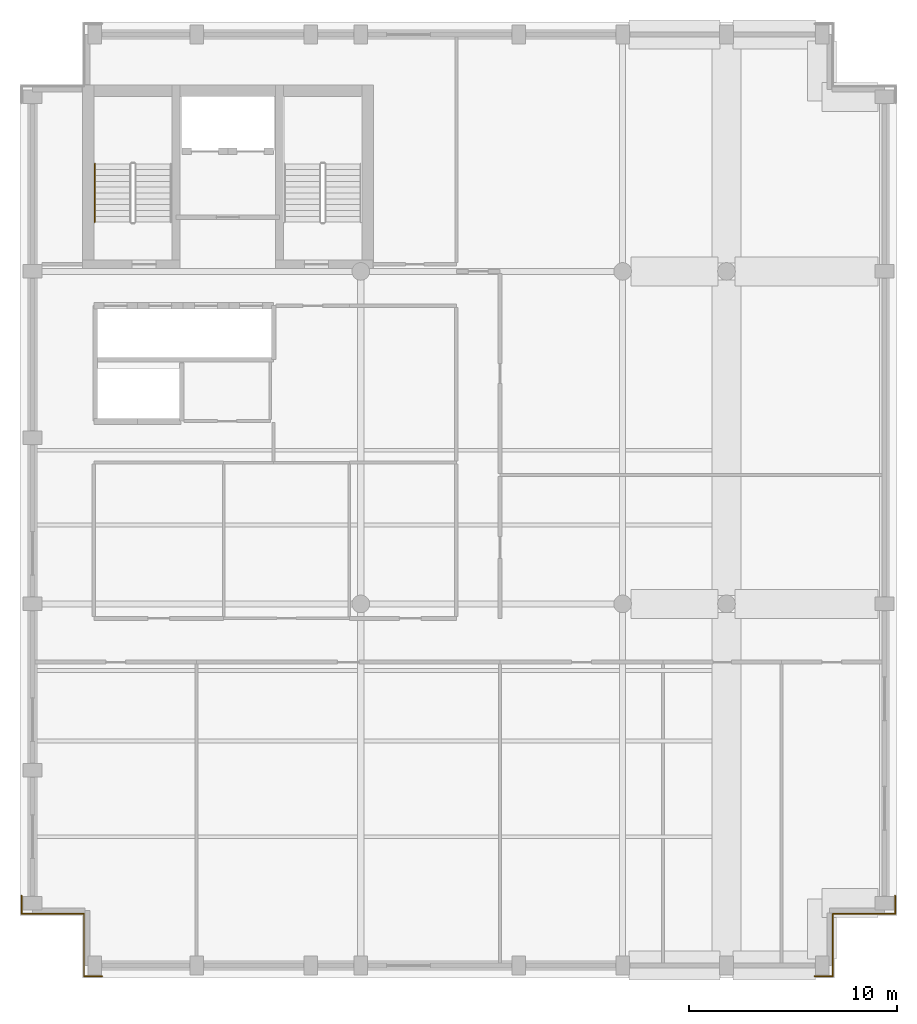
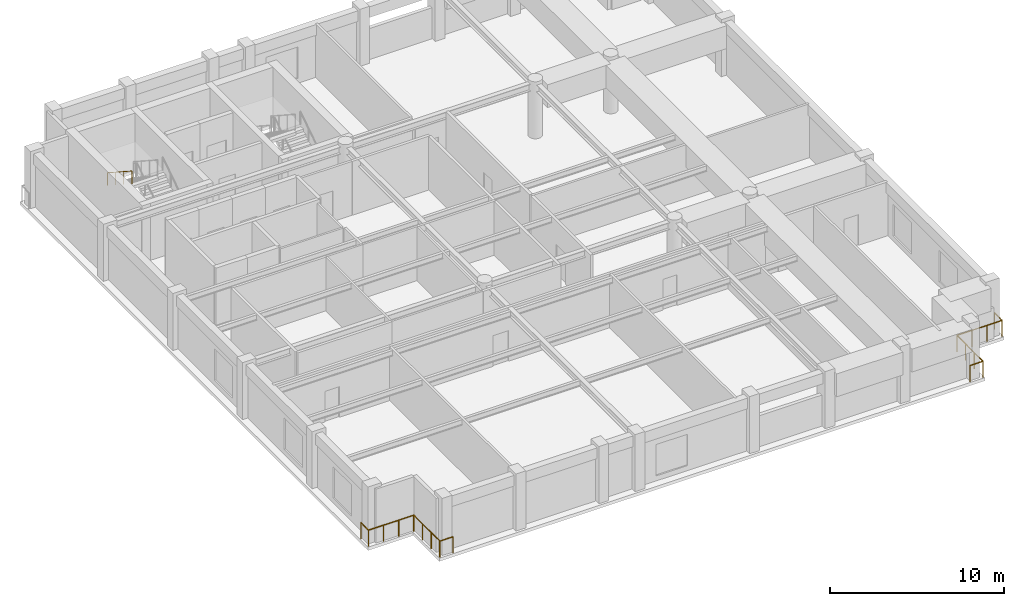
# One storey, part 5 of 7: 9 railings.
"""IFC4 building model written with IfcOpenShell, lengths in metres."""

import ifcopenshell
import ifcopenshell.guid

model = None  # the IFC model being written
_history = None  # IfcOwnerHistory: only IFC2X3 demands one
_inside = {}  # id of a spatial element -> (the spatial element, [elements in it])
_under = {}  # id of a project, library or spatial element -> (it, [spatial elements below it])
_declared = {}  # id of a project -> (the project, [libraries it declares])
_typed = {}  # id of a type object -> (the type object, [elements of that type])
_made_of = {}  # id of a material, layer set ... -> (it, [elements and type objects made of it])


def new_model(schema):
    """Start an empty IFC model of exactly this schema.

    Asked for "IFC4X3", IfcOpenShell would pick the latest addendum, in which some entities
    have other attributes; the version numbers below select the first issue.
    IFC2X3 requires an IfcOwnerHistory on every rooted entity: one is made here for all.
    """
    global model, _history
    if schema == "IFC4X3":
        model = ifcopenshell.file(schema_version=(4, 3, 0, 0))
    else:
        model = ifcopenshell.file(schema=schema)
    _inside.clear()
    _under.clear()
    _declared.clear()
    _typed.clear()
    _made_of.clear()
    _history = None
    if model.schema == "IFC2X3":
        org = make("IfcOrganization", Name="unknown")
        user = make(
            "IfcPersonAndOrganization",
            ThePerson=make("IfcPerson", FamilyName="unknown"),
            TheOrganization=org,
        )
        app = make(
            "IfcApplication",
            ApplicationDeveloper=org,
            Version="unknown",
            ApplicationFullName="unknown",
            ApplicationIdentifier="unknown",
        )
        _history = make(
            "IfcOwnerHistory",
            OwningUser=user,
            OwningApplication=app,
            ChangeAction="ADDED",
            CreationDate=0,
        )
    return model


def make(cls, **values):
    """One entity of the class cls with the attributes given. An attribute that is None is left unset."""
    return model.create_entity(
        cls, **{name: value for name, value in values.items() if value is not None}
    )


def rooted(cls, **values):
    """An entity with a GlobalId (a new one), such as an element, a storey or a relation."""
    return make(cls, GlobalId=ifcopenshell.guid.new(), OwnerHistory=_history, **values)


def si_unit(unit_type, name, prefix=None):
    """IfcSIUnit, for example si_unit("LENGTHUNIT", "METRE", prefix="MILLI")."""
    return make("IfcSIUnit", UnitType=unit_type, Prefix=prefix, Name=name)


def assignment(units):
    """IfcUnitAssignment: the units of a project."""
    return None if units is None else make("IfcUnitAssignment", Units=units)


def point(xyz):
    """IfcCartesianPoint."""
    return None if xyz is None else make("IfcCartesianPoint", Coordinates=xyz)


def direction(xyz):
    """IfcDirection."""
    return None if xyz is None else make("IfcDirection", DirectionRatios=xyz)


def frame(location, z_axis=None, x_axis=None):
    """IfcAxis2Placement3D, a coordinate frame: its origin and axes. An axis left out is left unset."""
    return make(
        "IfcAxis2Placement3D",
        Location=point(location),
        Axis=direction(z_axis),
        RefDirection=direction(x_axis),
    )


def frame_2d(location, x_axis=None):
    """IfcAxis2Placement2D, a coordinate frame in the plane: its origin and x axis."""
    return make(
        "IfcAxis2Placement2D", Location=point(location), RefDirection=direction(x_axis)
    )


def origin():
    """The frame at (0, 0, 0) with its axes left unset."""
    return frame((0.0, 0.0, 0.0))


def origin_2d():
    """The frame at (0, 0) in the plane with its x axis left unset."""
    return frame_2d((0.0, 0.0))


def place(relative_to, where):
    """IfcLocalPlacement: puts the frame where relative to a parent placement (None: the world)."""
    return make(
        "IfcLocalPlacement", PlacementRelTo=relative_to, RelativePlacement=where
    )


def context(
    kind, dimensions, precision=None, world=None, true_north=None, identifier=None
):
    """IfcGeometricRepresentationContext, for example the 3D "Model" context."""
    return make(
        "IfcGeometricRepresentationContext",
        ContextIdentifier=identifier,
        ContextType=kind,
        CoordinateSpaceDimension=dimensions,
        Precision=precision,
        WorldCoordinateSystem=world,
        TrueNorth=true_north,
    )


def subcontext(parent, identifier, kind, view, scale=None):
    """IfcGeometricRepresentationSubContext, for example "Body" below "Model"."""
    return make(
        "IfcGeometricRepresentationSubContext",
        ContextIdentifier=identifier,
        ContextType=kind,
        ParentContext=parent,
        TargetScale=scale,
        TargetView=view,
    )


def project(units=None, contexts=None):
    """IfcProject with its units and contexts."""
    return rooted(
        "IfcProject",
        Name="project",
        RepresentationContexts=contexts,
        UnitsInContext=assignment(units),
    )


def spatial(cls, under=None, at=None, **own):
    """A site, building, storey or space (cls), placed at a placement, below another one or the project."""
    s = rooted(cls, ObjectPlacement=at, **own)
    if under is not None:
        _under.setdefault(under.id(), (under, []))[1].append(s)
    return s


def profile(cls, at=None, kind="AREA", **sizes):
    """A parametric profile (cls). Its sizes go by their IFC names, for example OverallWidth=200.0."""
    return make(cls, ProfileType=kind, Position=at, **sizes)


def circle(**sizes):
    """IfcCircleProfileDef."""
    return profile("IfcCircleProfileDef", **sizes)


def extrude(swept, where, along, depth):
    """IfcExtrudedAreaSolid: the profile swept, set in the frame where, extruded along a direction by depth."""
    return make(
        "IfcExtrudedAreaSolid",
        SweptArea=swept,
        Position=where,
        ExtrudedDirection=direction(along),
        Depth=depth,
    )


def shape(context_of_items, identifier, shape_type, items):
    """IfcShapeRepresentation: the items that make up one representation, for example the "Body"."""
    return make(
        "IfcShapeRepresentation",
        ContextOfItems=context_of_items,
        RepresentationIdentifier=identifier,
        RepresentationType=shape_type,
        Items=items,
    )


def material(Name=None, Category=None):
    """IfcMaterial."""
    return make("IfcMaterial", Name=Name, Category=Category)


def made_of(thing, what):
    """Note that an element or type object is made of a material, layer set ...; save() writes the relation."""
    if what is not None:
        _made_of.setdefault(what.id(), (what, []))[1].append(thing)
    return thing


def type_object(cls, material=None, **own):
    """A type object (cls), such as IfcWallType, which elements share."""
    return made_of(rooted(cls, **own), material)


def element(
    cls,
    number,
    at=None,
    inside=None,
    cuts=None,
    type_object=None,
    material=None,
    context=None,
    identifier="Body",
    shape_type=None,
    held_by="IfcProductDefinitionShape",
    body=None,
    shapes=None,
    **own,
):
    """One element of the class cls, such as IfcWall. Its Tag is "e" and its number.

    at: its placement. inside: the storey or other place that contains it. cuts: it is an
    opening in that element (IfcRelVoidsElement). A single representation is given by context,
    identifier, shape_type and body (its items); several are given by shapes. held_by: the class
    of the entity that holds the representations. save() writes the other relations.
    """
    e = rooted(cls, Tag="e%d" % number, ObjectPlacement=at, **own)
    if body is not None:
        shapes = [shape(context, identifier, shape_type, body)]
    if shapes is not None:
        e.Representation = make(held_by, Representations=shapes)
    if inside is not None:
        _inside.setdefault(inside.id(), (inside, []))[1].append(e)
    if cuts is not None:
        rooted(
            "IfcRelVoidsElement", RelatingBuildingElement=cuts, RelatedOpeningElement=e
        )
    if type_object is not None:
        _typed.setdefault(type_object.id(), (type_object, []))[1].append(e)
    return made_of(e, material)


def aggregate(whole, parts):
    """IfcRelAggregates: a whole, such as a stair, and the parts it consists of."""
    return rooted("IfcRelAggregates", RelatingObject=whole, RelatedObjects=parts)


def save(model, path):
    """Write the relations noted so far, then the file.

    IfcRelAggregates (storeys below a building ...), IfcRelContainedInSpatialStructure (elements
    in a storey), IfcRelDefinesByType, IfcRelAssociatesMaterial and IfcRelDeclares: one each for
    every whole, place, type object, material and project.
    """
    for whole, parts in _under.values():
        aggregate(whole, parts)
    for where, things in _inside.values():
        rooted(
            "IfcRelContainedInSpatialStructure",
            RelatedElements=things,
            RelatingStructure=where,
        )
    for kind, things in _typed.values():
        rooted("IfcRelDefinesByType", RelatedObjects=things, RelatingType=kind)
    for what, things in _made_of.values():
        rooted("IfcRelAssociatesMaterial", RelatedObjects=things, RelatingMaterial=what)
    for by, libraries in _declared.values():
        rooted("IfcRelDeclares", RelatingContext=by, RelatedDefinitions=libraries)
    model.write(path)


model = new_model("IFC4")

# Units and contexts
model_context = context("Model", 3, precision=1e-05, world=origin(), true_north=direction((0.0, 1.0)))
body_context = subcontext(model_context, "Body", "Model", "MODEL_VIEW")
ifc_project = project(units=[si_unit("LENGTHUNIT", "METRE"), si_unit("AREAUNIT", "SQUARE_METRE"), si_unit("VOLUMEUNIT", "CUBIC_METRE"), si_unit("PLANEANGLEUNIT", "RADIAN"), si_unit("MASSUNIT", "GRAM", prefix="KILO")], contexts=[model_context])

# Site, building, storey
site_placement = place(None, origin())
site = spatial("IfcSite", under=ifc_project, at=site_placement, CompositionType="ELEMENT")
building_placement = place(site_placement, origin())
building = spatial("IfcBuilding", under=site, at=building_placement, Name="Sulina Concourse Tower", CompositionType="ELEMENT")
storey_placement = place(building_placement, frame((0.0, 0.0, 301.0)))
storey = spatial("IfcBuildingStorey", under=building, at=storey_placement, Name="L73", CompositionType="ELEMENT", Elevation=301.0)

# Railings
ifc_material_1 = material(Name="Galvanised steel railing", Category="steel")
railing_type_1 = type_object("IfcRailingType", Name="Core Stair Steel Guardrail 1150mm", PredefinedType="GUARDRAIL", material=ifc_material_1)
railing_1_placement = place(storey_placement, frame((42.1201171875, 3.949951171875, 0.0)))
element("IfcRailing", 1, at=railing_1_placement, inside=storey, type_object=railing_type_1, Name="L73 perimeter edge safety guardrail SE1", PredefinedType="GUARDRAIL", context=body_context, shape_type="SweptSolid", body=[
    extrude(circle(Radius=0.02392578125, at=origin_2d()), frame((0.0, 0.0, 1.1259765625), z_axis=(0.0, -1.0, 0.0), x_axis=(1.0, 0.0, 0.0)), (0.0, 0.0, 1.0), 0.869873046875),
    extrude(circle(Radius=0.02099609375, at=origin_2d()), origin(), (0.0, 0.0, 1.0), 1.101806640625),
    extrude(circle(Radius=0.02099609375, at=origin_2d()), frame((0.0, -0.869873046875, 0.0)), (0.0, 0.0, 1.0), 1.101806640625),
])
railing_2_placement = place(storey_placement, frame((42.1201171875, 3.080078125, 0.0)))
element("IfcRailing", 2, at=railing_2_placement, inside=storey, type_object=railing_type_1, Name="L73 perimeter edge safety guardrail SE2", PredefinedType="GUARDRAIL", context=body_context, shape_type="SweptSolid", body=[
    extrude(circle(Radius=0.02392578125, at=origin_2d()), frame((0.0, 0.0, 1.1259765625), z_axis=(-1.0, 0.0, 0.0), x_axis=(0.0, -1.0, 0.0)), (0.0, 0.0, 1.0), 3.0),
    extrude(circle(Radius=0.02099609375, at=origin_2d()), origin(), (0.0, 0.0, 1.0), 1.101806640625),
    extrude(circle(Radius=0.02099609375, at=origin_2d()), frame((-1.0, 0.0, 0.0)), (0.0, 0.0, 1.0), 1.101806640625),
    extrude(circle(Radius=0.02099609375, at=origin_2d()), frame((-2.0, 0.0, 0.0)), (0.0, 0.0, 1.0), 1.101806640625),
    extrude(circle(Radius=0.02099609375, at=origin_2d()), frame((-3.0, 0.0, 0.0)), (0.0, 0.0, 1.0), 1.101806640625),
])
railing_3_placement = place(storey_placement, frame((39.1201171875, 3.080078125, 0.0)))
element("IfcRailing", 3, at=railing_3_placement, inside=storey, type_object=railing_type_1, Name="L73 perimeter edge safety guardrail SE3", PredefinedType="GUARDRAIL", context=body_context, shape_type="SweptSolid", body=[
    extrude(circle(Radius=0.02392578125, at=origin_2d()), frame((0.0, 0.0, 1.1259765625), z_axis=(0.0, -1.0, 0.0), x_axis=(1.0, 0.0, 0.0)), (0.0, 0.0, 1.0), 3.0),
    extrude(circle(Radius=0.02099609375, at=origin_2d()), origin(), (0.0, 0.0, 1.0), 1.101806640625),
    extrude(circle(Radius=0.02099609375, at=origin_2d()), frame((0.0, -1.0, 0.0)), (0.0, 0.0, 1.0), 1.101806640625),
    extrude(circle(Radius=0.02099609375, at=origin_2d()), frame((0.0, -2.0, 0.0)), (0.0, 0.0, 1.0), 1.101806640625),
    extrude(circle(Radius=0.02099609375, at=origin_2d()), frame((0.0, -3.0, 0.0)), (0.0, 0.0, 1.0), 1.101806640625),
])
railing_4_placement = place(storey_placement, frame((39.1201171875, 0.080078125, 0.0)))
element("IfcRailing", 4, at=railing_4_placement, inside=storey, type_object=railing_type_1, Name="L73 perimeter edge safety guardrail SE4", PredefinedType="GUARDRAIL", context=body_context, shape_type="SweptSolid", body=[
    extrude(circle(Radius=0.02392578125, at=origin_2d()), frame((0.0, 0.0, 1.1259765625), z_axis=(-1.0, 0.0, 0.0), x_axis=(0.0, -1.0, 0.0)), (0.0, 0.0, 1.0), 0.8701171875),
    extrude(circle(Radius=0.02099609375, at=origin_2d()), origin(), (0.0, 0.0, 1.0), 1.101806640625),
    extrude(circle(Radius=0.02099609375, at=origin_2d()), frame((-0.8701171875, 0.0, 0.0)), (0.0, 0.0, 1.0), 1.101806640625),
])
railing_5_placement = place(storey_placement, frame((3.949951171875, 0.080078125, 0.0)))
element("IfcRailing", 5, at=railing_5_placement, inside=storey, type_object=railing_type_1, Name="L73 perimeter edge safety guardrail SW1", PredefinedType="GUARDRAIL", context=body_context, shape_type="SweptSolid", body=[
    extrude(circle(Radius=0.02392578125, at=origin_2d()), frame((0.0, 0.0, 1.1259765625), z_axis=(-1.0, 0.0, 0.0), x_axis=(0.0, -1.0, 0.0)), (0.0, 0.0, 1.0), 0.869873046875),
    extrude(circle(Radius=0.02099609375, at=origin_2d()), origin(), (0.0, 0.0, 1.0), 1.101806640625),
    extrude(circle(Radius=0.02099609375, at=origin_2d()), frame((-0.869873046875, 0.0, 0.0)), (0.0, 0.0, 1.0), 1.101806640625),
])
railing_6_placement = place(storey_placement, frame((3.080078125, 0.080078125, 0.0)))
element("IfcRailing", 6, at=railing_6_placement, inside=storey, type_object=railing_type_1, Name="L73 perimeter edge safety guardrail SW2", PredefinedType="GUARDRAIL", context=body_context, shape_type="SweptSolid", body=[
    extrude(circle(Radius=0.02392578125, at=origin_2d()), frame((0.0, 0.0, 1.1259765625), z_axis=(0.0, 1.0, 0.0), x_axis=(-1.0, 0.0, 0.0)), (0.0, 0.0, 1.0), 3.0),
    extrude(circle(Radius=0.02099609375, at=origin_2d()), origin(), (0.0, 0.0, 1.0), 1.101806640625),
    extrude(circle(Radius=0.02099609375, at=origin_2d()), frame((0.0, 1.0, 0.0)), (0.0, 0.0, 1.0), 1.101806640625),
    extrude(circle(Radius=0.02099609375, at=origin_2d()), frame((0.0, 2.0, 0.0)), (0.0, 0.0, 1.0), 1.101806640625),
    extrude(circle(Radius=0.02099609375, at=origin_2d()), frame((0.0, 3.0, 0.0)), (0.0, 0.0, 1.0), 1.101806640625),
])
railing_7_placement = place(storey_placement, frame((3.080078125, 3.080078125, 0.0)))
element("IfcRailing", 7, at=railing_7_placement, inside=storey, type_object=railing_type_1, Name="L73 perimeter edge safety guardrail SW3", PredefinedType="GUARDRAIL", context=body_context, shape_type="SweptSolid", body=[
    extrude(circle(Radius=0.02392578125, at=origin_2d()), frame((0.0, 0.0, 1.1259765625), z_axis=(-1.0, 0.0, 0.0), x_axis=(0.0, -1.0, 0.0)), (0.0, 0.0, 1.0), 3.0),
    extrude(circle(Radius=0.02099609375, at=origin_2d()), origin(), (0.0, 0.0, 1.0), 1.101806640625),
    extrude(circle(Radius=0.02099609375, at=origin_2d()), frame((-1.0, 0.0, 0.0)), (0.0, 0.0, 1.0), 1.101806640625),
    extrude(circle(Radius=0.02099609375, at=origin_2d()), frame((-2.0, 0.0, 0.0)), (0.0, 0.0, 1.0), 1.101806640625),
    extrude(circle(Radius=0.02099609375, at=origin_2d()), frame((-3.0, 0.0, 0.0)), (0.0, 0.0, 1.0), 1.101806640625),
])
railing_8_placement = place(storey_placement, frame((0.080078125, 3.080078125, 0.0)))
element("IfcRailing", 8, at=railing_8_placement, inside=storey, type_object=railing_type_1, Name="L73 perimeter edge safety guardrail SW4", PredefinedType="GUARDRAIL", context=body_context, shape_type="SweptSolid", body=[
    extrude(circle(Radius=0.02392578125, at=origin_2d()), frame((0.0, 0.0, 1.1259765625), z_axis=(0.0, 1.0, 0.0), x_axis=(-1.0, 0.0, 0.0)), (0.0, 0.0, 1.0), 0.869873046875),
    extrude(circle(Radius=0.02099609375, at=origin_2d()), origin(), (0.0, 0.0, 1.0), 1.101806640625),
    extrude(circle(Radius=0.02099609375, at=origin_2d()), frame((0.0, 0.869873046875, 0.0)), (0.0, 0.0, 1.0), 1.101806640625),
])
ifc_material_2 = material(Name="Galvanised steel railing", Category="steel")
railing_type_2 = type_object("IfcRailingType", Name="Stair Wall Steel Handrail 920mm", PredefinedType="HANDRAIL", material=ifc_material_2)
railing_9_placement = place(storey_placement, frame((3.60498046875, 39.175048828125, 2.181884765625)))
element("IfcRailing", 9, at=railing_9_placement, inside=storey, type_object=railing_type_2, Name="L73 ST-1 stair handrail 2", PredefinedType="HANDRAIL", context=body_context, shape_type="SweptSolid", body=[
    extrude(circle(Radius=0.02392578125, at=origin_2d()), frame((0.0, 0.0, 0.89599609375), z_axis=(0.0, -0.838705829183, 0.544584733623), x_axis=(1.0, 0.0, 0.0)), (0.0, 0.0, 1.0), 3.338623046875),
    extrude(circle(Radius=0.02099609375, at=origin_2d()), origin(), (0.0, 0.0, 1.0), 0.871826171875),
    extrude(circle(Radius=0.02099609375, at=origin_2d()), frame((0.0, -0.933349609375, 0.60595703125)), (0.0, 0.0, 1.0), 0.871826171875),
    extrude(circle(Radius=0.02099609375, at=origin_2d()), frame((0.0, -1.86669921875, 1.212158203125)), (0.0, 0.0, 1.0), 0.871826171875),
    extrude(circle(Radius=0.02099609375, at=origin_2d()), frame((0.0, -2.800048828125, 1.818115234375)), (0.0, 0.0, 1.0), 0.871826171875),
])

save(model, "model.ifc")
